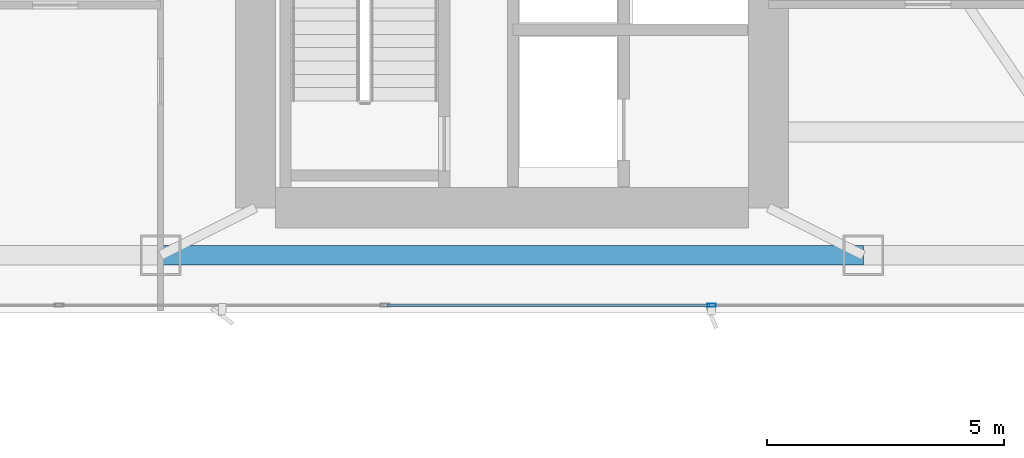
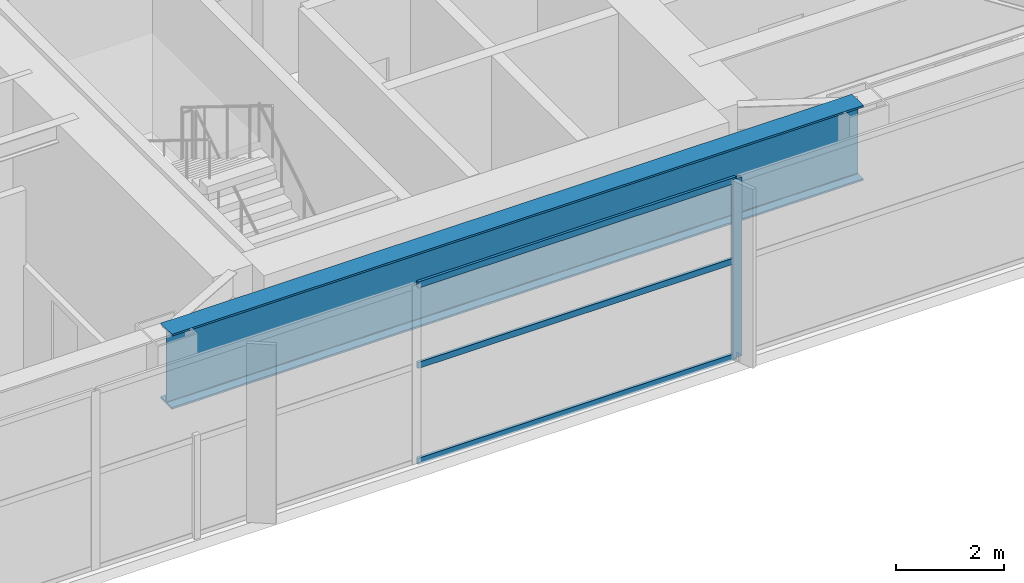
# One storey, part 7 of 30: 4 members, 1 beam, 1 element without a shape of its own.
"""IFC4 building model written with IfcOpenShell, lengths in metres."""

import ifcopenshell
import ifcopenshell.guid

model = None  # the IFC model being written
_history = None  # IfcOwnerHistory: only IFC2X3 demands one
_inside = {}  # id of a spatial element -> (the spatial element, [elements in it])
_under = {}  # id of a project, library or spatial element -> (it, [spatial elements below it])
_declared = {}  # id of a project -> (the project, [libraries it declares])
_typed = {}  # id of a type object -> (the type object, [elements of that type])
_made_of = {}  # id of a material, layer set ... -> (it, [elements and type objects made of it])


def new_model(schema):
    """Start an empty IFC model of exactly this schema.

    Asked for "IFC4X3", IfcOpenShell would pick the latest addendum, in which some entities
    have other attributes; the version numbers below select the first issue.
    IFC2X3 requires an IfcOwnerHistory on every rooted entity: one is made here for all.
    """
    global model, _history
    if schema == "IFC4X3":
        model = ifcopenshell.file(schema_version=(4, 3, 0, 0))
    else:
        model = ifcopenshell.file(schema=schema)
    _inside.clear()
    _under.clear()
    _declared.clear()
    _typed.clear()
    _made_of.clear()
    _history = None
    if model.schema == "IFC2X3":
        org = make("IfcOrganization", Name="unknown")
        user = make(
            "IfcPersonAndOrganization",
            ThePerson=make("IfcPerson", FamilyName="unknown"),
            TheOrganization=org,
        )
        app = make(
            "IfcApplication",
            ApplicationDeveloper=org,
            Version="unknown",
            ApplicationFullName="unknown",
            ApplicationIdentifier="unknown",
        )
        _history = make(
            "IfcOwnerHistory",
            OwningUser=user,
            OwningApplication=app,
            ChangeAction="ADDED",
            CreationDate=0,
        )
    return model


def make(cls, **values):
    """One entity of the class cls with the attributes given. An attribute that is None is left unset."""
    return model.create_entity(
        cls, **{name: value for name, value in values.items() if value is not None}
    )


def rooted(cls, **values):
    """An entity with a GlobalId (a new one), such as an element, a storey or a relation."""
    return make(cls, GlobalId=ifcopenshell.guid.new(), OwnerHistory=_history, **values)


def si_unit(unit_type, name, prefix=None):
    """IfcSIUnit, for example si_unit("LENGTHUNIT", "METRE", prefix="MILLI")."""
    return make("IfcSIUnit", UnitType=unit_type, Prefix=prefix, Name=name)


def assignment(units):
    """IfcUnitAssignment: the units of a project."""
    return None if units is None else make("IfcUnitAssignment", Units=units)


def point(xyz):
    """IfcCartesianPoint."""
    return None if xyz is None else make("IfcCartesianPoint", Coordinates=xyz)


def direction(xyz):
    """IfcDirection."""
    return None if xyz is None else make("IfcDirection", DirectionRatios=xyz)


def frame(location, z_axis=None, x_axis=None):
    """IfcAxis2Placement3D, a coordinate frame: its origin and axes. An axis left out is left unset."""
    return make(
        "IfcAxis2Placement3D",
        Location=point(location),
        Axis=direction(z_axis),
        RefDirection=direction(x_axis),
    )


def frame_2d(location, x_axis=None):
    """IfcAxis2Placement2D, a coordinate frame in the plane: its origin and x axis."""
    return make(
        "IfcAxis2Placement2D", Location=point(location), RefDirection=direction(x_axis)
    )


def origin():
    """The frame at (0, 0, 0) with its axes left unset."""
    return frame((0.0, 0.0, 0.0))


def origin_2d():
    """The frame at (0, 0) in the plane with its x axis left unset."""
    return frame_2d((0.0, 0.0))


def place(relative_to, where):
    """IfcLocalPlacement: puts the frame where relative to a parent placement (None: the world)."""
    return make(
        "IfcLocalPlacement", PlacementRelTo=relative_to, RelativePlacement=where
    )


def context(
    kind, dimensions, precision=None, world=None, true_north=None, identifier=None
):
    """IfcGeometricRepresentationContext, for example the 3D "Model" context."""
    return make(
        "IfcGeometricRepresentationContext",
        ContextIdentifier=identifier,
        ContextType=kind,
        CoordinateSpaceDimension=dimensions,
        Precision=precision,
        WorldCoordinateSystem=world,
        TrueNorth=true_north,
    )


def subcontext(parent, identifier, kind, view, scale=None):
    """IfcGeometricRepresentationSubContext, for example "Body" below "Model"."""
    return make(
        "IfcGeometricRepresentationSubContext",
        ContextIdentifier=identifier,
        ContextType=kind,
        ParentContext=parent,
        TargetScale=scale,
        TargetView=view,
    )


def project(units=None, contexts=None):
    """IfcProject with its units and contexts."""
    return rooted(
        "IfcProject",
        Name="project",
        RepresentationContexts=contexts,
        UnitsInContext=assignment(units),
    )


def spatial(cls, under=None, at=None, **own):
    """A site, building, storey or space (cls), placed at a placement, below another one or the project."""
    s = rooted(cls, ObjectPlacement=at, **own)
    if under is not None:
        _under.setdefault(under.id(), (under, []))[1].append(s)
    return s


def profile(cls, at=None, kind="AREA", **sizes):
    """A parametric profile (cls). Its sizes go by their IFC names, for example OverallWidth=200.0."""
    return make(cls, ProfileType=kind, Position=at, **sizes)


def hollow_rectangle(**sizes):
    """IfcRectangleHollowProfileDef."""
    return profile("IfcRectangleHollowProfileDef", **sizes)


def i_section(**sizes):
    """IfcIShapeProfileDef."""
    return profile("IfcIShapeProfileDef", **sizes)


def extrude(swept, where, along, depth):
    """IfcExtrudedAreaSolid: the profile swept, set in the frame where, extruded along a direction by depth."""
    return make(
        "IfcExtrudedAreaSolid",
        SweptArea=swept,
        Position=where,
        ExtrudedDirection=direction(along),
        Depth=depth,
    )


def shape(context_of_items, identifier, shape_type, items):
    """IfcShapeRepresentation: the items that make up one representation, for example the "Body"."""
    return make(
        "IfcShapeRepresentation",
        ContextOfItems=context_of_items,
        RepresentationIdentifier=identifier,
        RepresentationType=shape_type,
        Items=items,
    )


def material(Name=None, Category=None):
    """IfcMaterial."""
    return make("IfcMaterial", Name=Name, Category=Category)


def layer(
    of_material, thickness, ventilated=None, Name=None, Category=None, Priority=None
):
    """IfcMaterialLayer: one layer of a wall or slab, of a material (None: an air gap)."""
    return make(
        "IfcMaterialLayer",
        Material=of_material,
        LayerThickness=thickness,
        IsVentilated=ventilated,
        Name=Name,
        Category=Category,
        Priority=Priority,
    )


def layer_set(layers, Name=None):
    """IfcMaterialLayerSet."""
    return make("IfcMaterialLayerSet", MaterialLayers=layers, LayerSetName=Name)


def material_profile(
    of_material, cross_section, Name=None, Category=None, Priority=None
):
    """IfcMaterialProfile: a cross section and its material."""
    return make(
        "IfcMaterialProfile",
        Name=Name,
        Material=of_material,
        Profile=cross_section,
        Priority=Priority,
        Category=Category,
    )


def profile_set(profiles, Name=None, composite=None):
    """IfcMaterialProfileSet."""
    return make(
        "IfcMaterialProfileSet",
        Name=Name,
        MaterialProfiles=profiles,
        CompositeProfile=composite,
    )


def made_of(thing, what):
    """Note that an element or type object is made of a material, layer set ...; save() writes the relation."""
    if what is not None:
        _made_of.setdefault(what.id(), (what, []))[1].append(thing)
    return thing


def type_object(cls, material=None, **own):
    """A type object (cls), such as IfcWallType, which elements share."""
    return made_of(rooted(cls, **own), material)


def element(
    cls,
    number,
    at=None,
    inside=None,
    cuts=None,
    type_object=None,
    material=None,
    context=None,
    identifier="Body",
    shape_type=None,
    held_by="IfcProductDefinitionShape",
    body=None,
    shapes=None,
    **own,
):
    """One element of the class cls, such as IfcWall. Its Tag is "e" and its number.

    at: its placement. inside: the storey or other place that contains it. cuts: it is an
    opening in that element (IfcRelVoidsElement). A single representation is given by context,
    identifier, shape_type and body (its items); several are given by shapes. held_by: the class
    of the entity that holds the representations. save() writes the other relations.
    """
    e = rooted(cls, Tag="e%d" % number, ObjectPlacement=at, **own)
    if body is not None:
        shapes = [shape(context, identifier, shape_type, body)]
    if shapes is not None:
        e.Representation = make(held_by, Representations=shapes)
    if inside is not None:
        _inside.setdefault(inside.id(), (inside, []))[1].append(e)
    if cuts is not None:
        rooted(
            "IfcRelVoidsElement", RelatingBuildingElement=cuts, RelatedOpeningElement=e
        )
    if type_object is not None:
        _typed.setdefault(type_object.id(), (type_object, []))[1].append(e)
    return made_of(e, material)


def aggregate(whole, parts):
    """IfcRelAggregates: a whole, such as a stair, and the parts it consists of."""
    return rooted("IfcRelAggregates", RelatingObject=whole, RelatedObjects=parts)


def save(model, path):
    """Write the relations noted so far, then the file.

    IfcRelAggregates (storeys below a building ...), IfcRelContainedInSpatialStructure (elements
    in a storey), IfcRelDefinesByType, IfcRelAssociatesMaterial and IfcRelDeclares: one each for
    every whole, place, type object, material and project.
    """
    for whole, parts in _under.values():
        aggregate(whole, parts)
    for where, things in _inside.values():
        rooted(
            "IfcRelContainedInSpatialStructure",
            RelatedElements=things,
            RelatingStructure=where,
        )
    for kind, things in _typed.values():
        rooted("IfcRelDefinesByType", RelatedObjects=things, RelatingType=kind)
    for what, things in _made_of.values():
        rooted("IfcRelAssociatesMaterial", RelatedObjects=things, RelatingMaterial=what)
    for by, libraries in _declared.values():
        rooted("IfcRelDeclares", RelatingContext=by, RelatedDefinitions=libraries)
    model.write(path)


model = new_model("IFC4")

# Units and contexts
model_context = context("Model", 3, precision=1e-05, world=origin(), true_north=direction((0.0, 1.0)))
body_context = subcontext(model_context, "Body", "Model", "MODEL_VIEW")
ifc_project = project(units=[si_unit("LENGTHUNIT", "METRE"), si_unit("AREAUNIT", "SQUARE_METRE"), si_unit("VOLUMEUNIT", "CUBIC_METRE"), si_unit("PLANEANGLEUNIT", "RADIAN"), si_unit("MASSUNIT", "GRAM", prefix="KILO")], contexts=[model_context])

# Site, building, storey
site_placement = place(None, origin())
site = spatial("IfcSite", under=ifc_project, at=site_placement, CompositionType="ELEMENT")
building_placement = place(site_placement, origin())
building = spatial("IfcBuilding", under=site, at=building_placement, Name="Calvorn Quay Hotel", CompositionType="ELEMENT")
storey_placement = place(building_placement, frame((0.0, 0.0, 195.10009765625)))
storey = spatial("IfcBuildingStorey", under=building, at=storey_placement, Name="L48", CompositionType="ELEMENT", Elevation=195.10009765625)

# Beam
ifc_material_1 = material(Name="Steel Q420GJC", Category="steel")
ifc_material_profile_1 = material_profile(ifc_material_1, i_section(OverallWidth=0.419921875, OverallDepth=1.699951171875, WebThickness=0.02392578125, FlangeThickness=0.0419921875, FilletRadius=0.02392578125, at=origin_2d()), Name="HN1700x420x24x42")
ifc_profile_set_1 = profile_set([ifc_material_profile_1], Name="Steel Q420GJC")
beam_type = type_object("IfcBeamType", Name="BM-XFER-SAWTOOTH", PredefinedType="BEAM", material=ifc_profile_set_1)
beam_placement = place(storey_placement, frame((19.60009765625, 3.60009765625, 3.199951171875), z_axis=(1.0, 0.0, 0.0), x_axis=(0.0, 1.0, 0.0)))
element("IfcBeam", 1, at=beam_placement, inside=storey, type_object=beam_type, Name="Beam BSP-L48-S3", PredefinedType="BEAM", context=body_context, shape_type="SweptSolid", body=[
    extrude(i_section(OverallWidth=0.419921875, OverallDepth=1.699951171875, WebThickness=0.02392578125, FlangeThickness=0.0419921875, FilletRadius=0.02392578125, at=origin_2d()), origin(), (0.0, 0.0, 1.0), 14.7998046875),
])

# Curtain wall, members
ifc_material_2 = material(Name="Champagne Bronze Anodised Aluminium and Low-E Glass", Category="aluminium")
ifc_layer = layer(ifc_material_2, 0.219970703125)
ifc_layer_set = layer_set([ifc_layer], Name="CW-SYS-Z3")
curtain_wall_type = type_object("IfcCurtainWallType", Name="CW-SYS-Z3", PredefinedType="NOTDEFINED", material=ifc_layer_set)
curtain_wall_placement = place(storey_placement, origin())
curtain_wall = element("IfcCurtainWall", 2, at=curtain_wall_placement, inside=storey, type_object=curtain_wall_type, Name="Tower South Waterfront Curtain Wall (L48)", PredefinedType="NOTDEFINED")
ifc_material_3 = material(Name="Champagne Bronze Anodised Aluminium 6063-T6", Category="aluminium")
ifc_material_profile_2 = material_profile(ifc_material_3, hollow_rectangle(XDim=0.068115234375, YDim=0.18505859375, WallThickness=0.00390625, at=origin_2d()), Name="ALU-M185x68x4")
ifc_profile_set_2 = profile_set([ifc_material_profile_2], Name="Champagne Bronze Anodised Aluminium 6063-T6")
member_type_1 = type_object("IfcMemberType", Name="CW-SYS-Z3-MUL", PredefinedType="MULLION", material=ifc_profile_set_2)
member_1_placement = place(storey_placement, frame((31.199951171875, 2.550048828125, 0.0), z_axis=(0.0, 0.0, 1.0), x_axis=(0.0, 1.0, 0.0)))
member_1 = element("IfcMember", 3, at=member_1_placement, type_object=member_type_1, Name="CW-L48-S mullion 4", PredefinedType="MULLION", context=body_context, shape_type="SweptSolid", body=[
    extrude(hollow_rectangle(XDim=0.068115234375, YDim=0.18505859375, WallThickness=0.00390625, at=origin_2d()), origin(), (0.0, 0.0, 1.0), 4.0498046875),
])
ifc_material_4 = material(Name="Champagne Bronze Anodised Aluminium 6063-T6", Category="aluminium")
ifc_material_profile_3 = material_profile(ifc_material_4, hollow_rectangle(XDim=0.05810546875, YDim=0.139892578125, WallThickness=0.003173828125, at=origin_2d()), Name="ALU-T140x58x3.2")
ifc_profile_set_3 = profile_set([ifc_material_profile_3], Name="Champagne Bronze Anodised Aluminium 6063-T6")
member_type_2 = type_object("IfcMemberType", Name="CW-SYS-Z3-TRN", PredefinedType="USERDEFINED", material=ifc_profile_set_3)
member_2_placement = place(storey_placement, frame((24.36328125, 2.550048828125, 0.02978515625), z_axis=(1.0, 0.0, 0.0), x_axis=(0.0, 1.0, 0.0)))
member_2 = element("IfcMember", 4, at=member_2_placement, type_object=member_type_2, Name="CW-L48-S transom 3.1", ObjectType="TRANSOM", PredefinedType="USERDEFINED", context=body_context, shape_type="SweptSolid", body=[
    extrude(hollow_rectangle(XDim=0.05810546875, YDim=0.139892578125, WallThickness=0.003173828125, at=origin_2d()), origin(), (0.0, 0.0, 1.0), 6.806640625),
])
member_3_placement = place(storey_placement, frame((24.36328125, 2.550048828125, 2.199951171875), z_axis=(1.0, 0.0, 0.0), x_axis=(0.0, 1.0, 0.0)))
member_3 = element("IfcMember", 5, at=member_3_placement, type_object=member_type_2, Name="CW-L48-S transom 3.2", ObjectType="TRANSOM", PredefinedType="USERDEFINED", context=body_context, shape_type="SweptSolid", body=[
    extrude(hollow_rectangle(XDim=0.05810546875, YDim=0.139892578125, WallThickness=0.003173828125, at=origin_2d()), origin(), (0.0, 0.0, 1.0), 6.806640625),
])
member_4_placement = place(storey_placement, frame((24.36328125, 2.550048828125, 4.02001953125), z_axis=(1.0, 0.0, 0.0), x_axis=(0.0, 1.0, 0.0)))
member_4 = element("IfcMember", 6, at=member_4_placement, type_object=member_type_2, Name="CW-L48-S transom 3.3", ObjectType="TRANSOM", PredefinedType="USERDEFINED", context=body_context, shape_type="SweptSolid", body=[
    extrude(hollow_rectangle(XDim=0.05810546875, YDim=0.139892578125, WallThickness=0.003173828125, at=origin_2d()), origin(), (0.0, 0.0, 1.0), 6.806640625),
])
aggregate(curtain_wall, [member_1, member_2, member_3, member_4])

save(model, "model.ifc")
